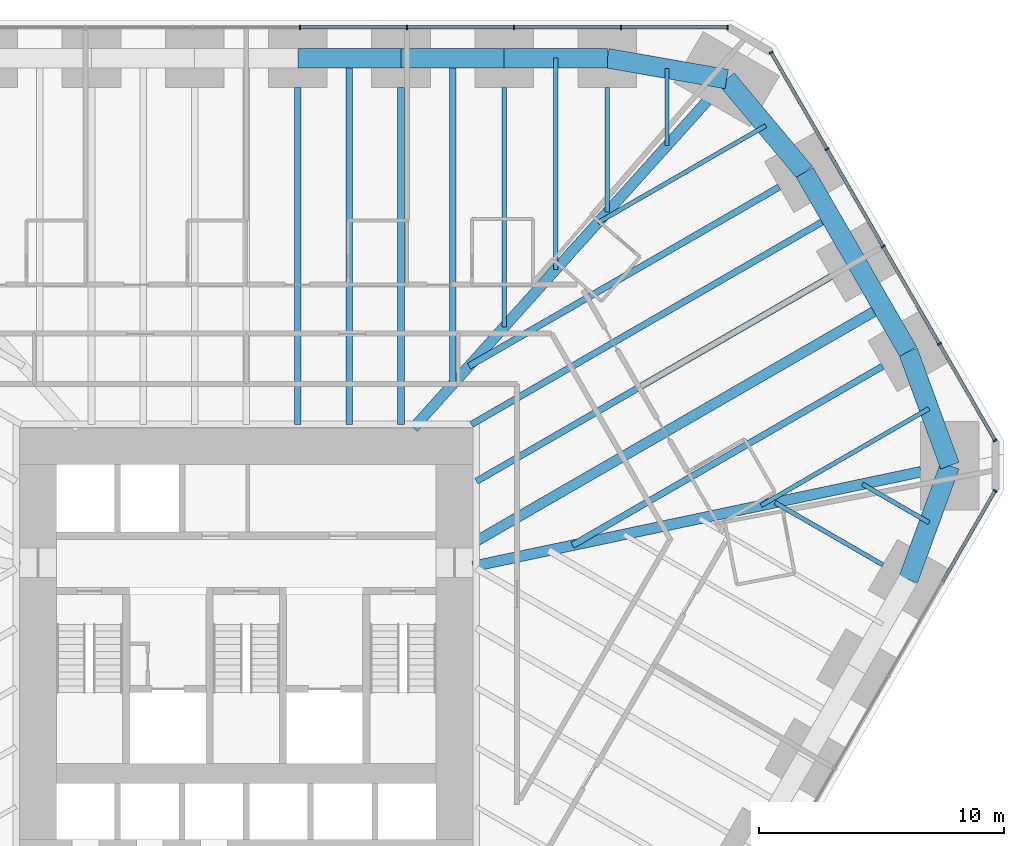
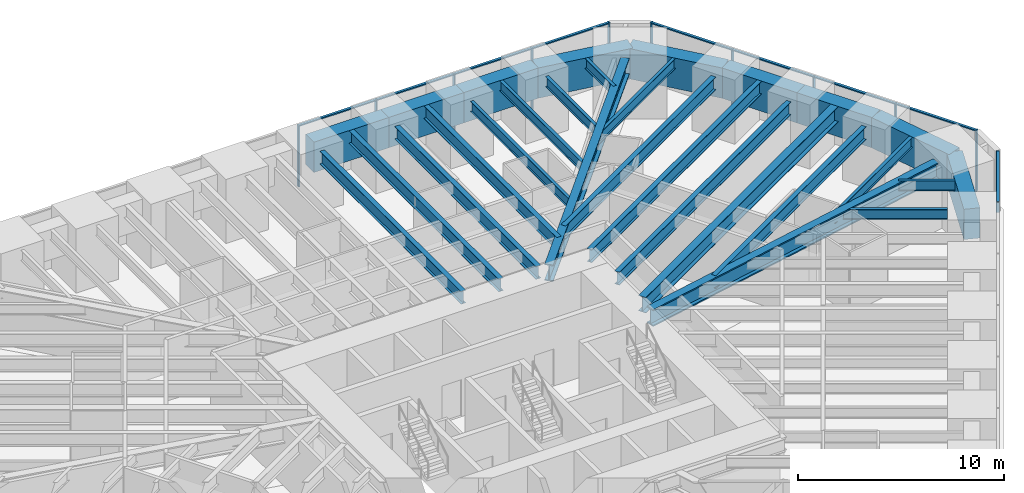
# One storey, part 9 of 17: 28 beams, 20 members, 3 elements without a shape of their own.
"""IFC4 building model written with IfcOpenShell, lengths in metres."""

from ifc_helpers import new_model, si_unit, direction, frame, origin, origin_2d, place, context, subcontext, project, spatial, rectangle, i_section, extrude, material, material_profile, profile_set, type_object, element, aggregate, save


model = new_model("IFC4")

# Units and contexts
model_context = context("Model", 3, precision=1e-05, world=origin(), true_north=direction((0.0, 1.0)))
body_context = subcontext(model_context, "Body", "Model", "MODEL_VIEW")
ifc_project = project(units=[si_unit("LENGTHUNIT", "METRE"), si_unit("AREAUNIT", "SQUARE_METRE"), si_unit("VOLUMEUNIT", "CUBIC_METRE"), si_unit("PLANEANGLEUNIT", "RADIAN"), si_unit("MASSUNIT", "GRAM", prefix="KILO")], contexts=[model_context])

# Site, building, storey
site_placement = place(None, origin())
site = spatial("IfcSite", under=ifc_project, at=site_placement, CompositionType="ELEMENT")
building_placement = place(site_placement, origin())
building = spatial("IfcBuilding", under=site, at=building_placement, Name="Sandreach Pilgrim Tower", CompositionType="ELEMENT")
storey_placement = place(building_placement, frame((0.0, 0.0, 45.800048828125)))
storey = spatial("IfcBuildingStorey", under=building, at=storey_placement, Name="L10", CompositionType="ELEMENT", Elevation=45.800048828125)

# Curtain wall, members
ifc_material_1 = material(Name="Aluminium framed curtain wall", Category="aluminium")
curtain_wall_type = type_object("IfcCurtainWallType", Name="Hostel tower curtain wall", PredefinedType="NOTDEFINED", material=ifc_material_1)
curtain_wall_1_placement = place(storey_placement, origin())
curtain_wall_1 = element("IfcCurtainWall", 1, at=curtain_wall_1_placement, inside=storey, type_object=curtain_wall_type, Name="CW-1 L10 N", PredefinedType="NOTDEFINED")
ifc_material_2 = material(Name="Aluminium extrusion", Category="aluminium")
ifc_material_profile_1 = material_profile(ifc_material_2, rectangle(XDim=0.06494140625, YDim=0.179931640625, at=origin_2d()), Name="CW-1M 65X180")
ifc_profile_set_1 = profile_set([ifc_material_profile_1], Name="Aluminium extrusion")
member_type_1 = type_object("IfcMemberType", Name="CW-1 mullion", PredefinedType="MULLION", material=ifc_profile_set_1)
member_1_placement = place(storey_placement, frame((2.185791015625, 23.94873046875, 0.0), z_axis=(0.0, 0.0, 1.0), x_axis=(1.0, 0.0, 0.0)))
member_1 = element("IfcMember", 2, at=member_1_placement, type_object=member_type_1, Name="CW-1 mullion 6", PredefinedType="MULLION", context=body_context, shape_type="SweptSolid", body=[
    extrude(rectangle(XDim=0.06494140625, YDim=0.179931640625, at=origin_2d()), origin(), (0.0, 0.0, 1.0), 3.639892578125),
])
member_2_placement = place(storey_placement, frame((6.557373046875, 23.94873046875, 0.0), z_axis=(0.0, 0.0, 1.0), x_axis=(1.0, 0.0, 0.0)))
member_2 = element("IfcMember", 3, at=member_2_placement, type_object=member_type_1, Name="CW-1 mullion 7", PredefinedType="MULLION", context=body_context, shape_type="SweptSolid", body=[
    extrude(rectangle(XDim=0.06494140625, YDim=0.179931640625, at=origin_2d()), origin(), (0.0, 0.0, 1.0), 3.639892578125),
])
member_3_placement = place(storey_placement, frame((10.928955078125, 23.94873046875, 0.0), z_axis=(0.0, 0.0, 1.0), x_axis=(1.0, 0.0, 0.0)))
member_3 = element("IfcMember", 4, at=member_3_placement, type_object=member_type_1, Name="CW-1 mullion 8", PredefinedType="MULLION", context=body_context, shape_type="SweptSolid", body=[
    extrude(rectangle(XDim=0.06494140625, YDim=0.179931640625, at=origin_2d()), origin(), (0.0, 0.0, 1.0), 3.639892578125),
])
member_4_placement = place(storey_placement, frame((15.300537109375, 23.94873046875, 0.0), z_axis=(0.0, 0.0, 1.0), x_axis=(1.0, 0.0, 0.0)))
member_4 = element("IfcMember", 5, at=member_4_placement, type_object=member_type_1, Name="CW-1 mullion 9", PredefinedType="MULLION", context=body_context, shape_type="SweptSolid", body=[
    extrude(rectangle(XDim=0.06494140625, YDim=0.179931640625, at=origin_2d()), origin(), (0.0, 0.0, 1.0), 3.639892578125),
])
member_5_placement = place(storey_placement, frame((19.6396484375, 23.94873046875, 0.0), z_axis=(0.0, 0.0, 1.0), x_axis=(1.0, 0.0, 0.0)))
member_5 = element("IfcMember", 6, at=member_5_placement, type_object=member_type_1, Name="CW-1 mullion 10", PredefinedType="MULLION", context=body_context, shape_type="SweptSolid", body=[
    extrude(rectangle(XDim=0.06494140625, YDim=0.179931640625, at=origin_2d()), origin(), (0.0, 0.0, 1.0), 3.639892578125),
])

curtain_wall_2_placement = place(storey_placement, origin())
curtain_wall_2 = element("IfcCurtainWall", 7, at=curtain_wall_2_placement, inside=storey, type_object=curtain_wall_type, Name="CW-1 L10 NE", PredefinedType="NOTDEFINED")
member_6_placement = place(storey_placement, frame((21.42041015625, 22.920654296875, 0.0), z_axis=(0.0, 0.0, 1.0), x_axis=(0.5, -0.866025403784, 0.0)))
member_6 = element("IfcMember", 8, at=member_6_placement, type_object=member_type_1, Name="CW-1 mullion 1", PredefinedType="MULLION", context=body_context, shape_type="SweptSolid", body=[
    extrude(rectangle(XDim=0.06494140625, YDim=0.179931640625, at=origin_2d()), origin(), (0.0, 0.0, 1.0), 3.639892578125),
])
member_7_placement = place(storey_placement, frame((23.697265625, 18.97705078125, 0.0), z_axis=(0.0, 0.0, 1.0), x_axis=(0.5, -0.866025403784, 0.0)))
member_7 = element("IfcMember", 9, at=member_7_placement, type_object=member_type_1, Name="CW-1 mullion 2", PredefinedType="MULLION", context=body_context, shape_type="SweptSolid", body=[
    extrude(rectangle(XDim=0.06494140625, YDim=0.179931640625, at=origin_2d()), origin(), (0.0, 0.0, 1.0), 3.639892578125),
])
member_8_placement = place(storey_placement, frame((25.990234375, 15.00537109375, 0.0), z_axis=(0.0, 0.0, 1.0), x_axis=(0.5, -0.866025403784, 0.0)))
member_8 = element("IfcMember", 10, at=member_8_placement, type_object=member_type_1, Name="CW-1 mullion 3", PredefinedType="MULLION", context=body_context, shape_type="SweptSolid", body=[
    extrude(rectangle(XDim=0.06494140625, YDim=0.179931640625, at=origin_2d()), origin(), (0.0, 0.0, 1.0), 3.639892578125),
])
member_9_placement = place(storey_placement, frame((28.283203125, 11.03369140625, 0.0), z_axis=(0.0, 0.0, 1.0), x_axis=(0.5, -0.866025403784, 0.0)))
member_9 = element("IfcMember", 11, at=member_9_placement, type_object=member_type_1, Name="CW-1 mullion 4", PredefinedType="MULLION", context=body_context, shape_type="SweptSolid", body=[
    extrude(rectangle(XDim=0.06494140625, YDim=0.179931640625, at=origin_2d()), origin(), (0.0, 0.0, 1.0), 3.639892578125),
])
member_10_placement = place(storey_placement, frame((30.56005859375, 7.09033203125, 0.0), z_axis=(0.0, 0.0, 1.0), x_axis=(0.5, -0.866025403784, 0.0)))
member_10 = element("IfcMember", 12, at=member_10_placement, type_object=member_type_1, Name="CW-1 mullion 5", PredefinedType="MULLION", context=body_context, shape_type="SweptSolid", body=[
    extrude(rectangle(XDim=0.06494140625, YDim=0.179931640625, at=origin_2d()), origin(), (0.0, 0.0, 1.0), 3.639892578125),
])

# Curtain wall, member
curtain_wall_3_placement = place(storey_placement, origin())
curtain_wall_3 = element("IfcCurtainWall", 13, at=curtain_wall_3_placement, inside=storey, type_object=curtain_wall_type, Name="CW-1 L10 SE", PredefinedType="NOTDEFINED")
member_11_placement = place(storey_placement, frame((30.56005859375, 5.033935546875, 0.0), z_axis=(0.0, 0.0, 1.0), x_axis=(-0.5, -0.866025403784, 0.0)))
member_11 = element("IfcMember", 14, at=member_11_placement, type_object=member_type_1, Name="CW-1 mullion 1", PredefinedType="MULLION", context=body_context, shape_type="SweptSolid", body=[
    extrude(rectangle(XDim=0.06494140625, YDim=0.179931640625, at=origin_2d()), origin(), (0.0, 0.0, 1.0), 3.639892578125),
])

# Member
ifc_material_3 = material(Name="Aluminium extrusion", Category="aluminium")
ifc_material_profile_2 = material_profile(ifc_material_3, rectangle(XDim=0.139892578125, YDim=0.070068359375, at=origin_2d()), Name="CW-1T 140X70")
ifc_profile_set_2 = profile_set([ifc_material_profile_2], Name="Aluminium extrusion")
member_type_2 = type_object("IfcMemberType", Name="CW-1 transom", PredefinedType="USERDEFINED", material=ifc_profile_set_2)
member_12_placement = place(storey_placement, frame((2.21826171875, 23.94873046875, 3.60498046875), z_axis=(1.0, 0.0, 0.0), x_axis=(0.0, 1.0, 0.0)))
member_12 = element("IfcMember", 15, at=member_12_placement, type_object=member_type_2, Name="CW-1 head transom 6", ObjectType="TRANSOM", PredefinedType="USERDEFINED", context=body_context, shape_type="SweptSolid", body=[
    extrude(rectangle(XDim=0.139892578125, YDim=0.070068359375, at=origin_2d()), origin(), (0.0, 0.0, 1.0), 4.306640625),
])

member_13_placement = place(storey_placement, frame((6.58984375, 23.94873046875, 3.60498046875), z_axis=(1.0, 0.0, 0.0), x_axis=(0.0, 1.0, 0.0)))
member_13 = element("IfcMember", 16, at=member_13_placement, type_object=member_type_2, Name="CW-1 head transom 7", ObjectType="TRANSOM", PredefinedType="USERDEFINED", context=body_context, shape_type="SweptSolid", body=[
    extrude(rectangle(XDim=0.139892578125, YDim=0.070068359375, at=origin_2d()), origin(), (0.0, 0.0, 1.0), 4.306640625),
])

member_14_placement = place(storey_placement, frame((10.96142578125, 23.94873046875, 3.60498046875), z_axis=(1.0, 0.0, 0.0), x_axis=(0.0, 1.0, 0.0)))
member_14 = element("IfcMember", 17, at=member_14_placement, type_object=member_type_2, Name="CW-1 head transom 8", ObjectType="TRANSOM", PredefinedType="USERDEFINED", context=body_context, shape_type="SweptSolid", body=[
    extrude(rectangle(XDim=0.139892578125, YDim=0.070068359375, at=origin_2d()), origin(), (0.0, 0.0, 1.0), 4.306640625),
])

member_15_placement = place(storey_placement, frame((15.3330078125, 23.94873046875, 3.60498046875), z_axis=(1.0, 0.0, 0.0), x_axis=(0.0, 1.0, 0.0)))
member_15 = element("IfcMember", 18, at=member_15_placement, type_object=member_type_2, Name="CW-1 head transom 9", ObjectType="TRANSOM", PredefinedType="USERDEFINED", context=body_context, shape_type="SweptSolid", body=[
    extrude(rectangle(XDim=0.139892578125, YDim=0.070068359375, at=origin_2d()), origin(), (0.0, 0.0, 1.0), 4.274169921875),
])

aggregate(curtain_wall_1, [member_1, member_2, member_3, member_4, member_5, member_12, member_13, member_14, member_15])

member_16_placement = place(storey_placement, frame((21.4365234375, 22.892333984375, 3.60498046875), z_axis=(0.500017500808, -0.866015299452, 0.0), x_axis=(0.866015299452, 0.500017500808, 0.0)))
member_16 = element("IfcMember", 19, at=member_16_placement, type_object=member_type_2, Name="CW-1 head transom 1", ObjectType="TRANSOM", PredefinedType="USERDEFINED", context=body_context, shape_type="SweptSolid", body=[
    extrude(rectangle(XDim=0.139892578125, YDim=0.070068359375, at=origin_2d()), origin(), (0.0, 0.0, 1.0), 4.488525390625),
])

member_17_placement = place(storey_placement, frame((23.71337890625, 18.948974609375, 3.60498046875), z_axis=(0.500001366228, -0.866024614991, 0.0), x_axis=(0.866024614991, 0.500001366228, 0.0)))
member_17 = element("IfcMember", 20, at=member_17_placement, type_object=member_type_2, Name="CW-1 head transom 2", ObjectType="TRANSOM", PredefinedType="USERDEFINED", context=body_context, shape_type="SweptSolid", body=[
    extrude(rectangle(XDim=0.139892578125, YDim=0.070068359375, at=origin_2d()), origin(), (0.0, 0.0, 1.0), 4.52099609375),
])

member_18_placement = place(storey_placement, frame((26.00634765625, 14.977294921875, 3.60498046875), z_axis=(0.500001366228, -0.866024614991, 0.0), x_axis=(0.866024614991, 0.500001366228, 0.0)))
member_18 = element("IfcMember", 21, at=member_18_placement, type_object=member_type_2, Name="CW-1 head transom 3", ObjectType="TRANSOM", PredefinedType="USERDEFINED", context=body_context, shape_type="SweptSolid", body=[
    extrude(rectangle(XDim=0.139892578125, YDim=0.070068359375, at=origin_2d()), origin(), (0.0, 0.0, 1.0), 4.52099609375),
])

member_19_placement = place(storey_placement, frame((28.299560546875, 11.005615234375, 3.60498046875), z_axis=(0.499976706761, -0.866038851724, 0.0), x_axis=(0.866038851724, 0.499976706761, 0.0)))
member_19 = element("IfcMember", 22, at=member_19_placement, type_object=member_type_2, Name="CW-1 head transom 4", ObjectType="TRANSOM", PredefinedType="USERDEFINED", context=body_context, shape_type="SweptSolid", body=[
    extrude(rectangle(XDim=0.139892578125, YDim=0.070068359375, at=origin_2d()), origin(), (0.0, 0.0, 1.0), 4.488525390625),
])

aggregate(curtain_wall_2, [member_6, member_7, member_8, member_9, member_10, member_16, member_17, member_18, member_19])

member_20_placement = place(storey_placement, frame((30.543701171875, 5.005859375, 3.60498046875), z_axis=(-0.499991113271, -0.866030534479, 0.0), x_axis=(0.866030534479, -0.499991113271, 0.0)))
member_20 = element("IfcMember", 23, at=member_20_placement, type_object=member_type_2, Name="CW-1 head transom 1", ObjectType="TRANSOM", PredefinedType="USERDEFINED", context=body_context, shape_type="SweptSolid", body=[
    extrude(rectangle(XDim=0.139892578125, YDim=0.070068359375, at=origin_2d()), origin(), (0.0, 0.0, 1.0), 4.27392578125),
])

aggregate(curtain_wall_3, [member_11, member_20])

# Beams
ifc_material_4 = material(Name="Steel ASTM A992 Grade 50", Category="steel")
ifc_material_profile_3 = material_profile(ifc_material_4, i_section(OverallWidth=0.431884765625, OverallDepth=0.988037109375, WebThickness=0.034423828125, FlangeThickness=0.06201171875, at=origin_2d()), Name="W36X441")
ifc_profile_set_3 = profile_set([ifc_material_profile_3], Name="Steel ASTM A992 Grade 50")
beam_type_1 = type_object("IfcBeamType", Name="Corner girder W36X441", PredefinedType="BEAM", material=ifc_profile_set_3)
beam_1_placement = place(storey_placement, frame((18.8046875, 20.94189453125, 3.14599609375), z_axis=(-0.668127834846, -0.74404650144, 0.0), x_axis=(0.74404650144, -0.668127834846, 0.0)))
element("IfcBeam", 24, at=beam_1_placement, inside=storey, type_object=beam_type_1, Name="BM L10 CG09", PredefinedType="BEAM", context=body_context, shape_type="SweptSolid", body=[
    extrude(i_section(OverallWidth=0.431884765625, OverallDepth=0.988037109375, WebThickness=0.034423828125, FlangeThickness=0.06201171875, at=origin_2d()), origin(), (0.0, 0.0, 1.0), 17.931396484375),
])
ifc_material_5 = material(Name="Steel ASTM A992 Grade 50", Category="steel")
ifc_material_profile_4 = material_profile(ifc_material_5, i_section(OverallWidth=0.436767578125, OverallDepth=1.010986328125, WebThickness=0.040771484375, FlangeThickness=0.073974609375, at=origin_2d()), Name="W36X529")
ifc_profile_set_4 = profile_set([ifc_material_profile_4], Name="Steel ASTM A992 Grade 50")
beam_type_2 = type_object("IfcBeamType", Name="Corner girder W36X529", PredefinedType="BEAM", material=ifc_profile_set_4)
beam_2_placement = place(storey_placement, frame((27.53857421875, 5.814208984375, 3.134521484375), z_axis=(-0.978429884383, -0.206579189045, 0.0), x_axis=(0.206579189045, -0.978429884383, 0.0)))
element("IfcBeam", 25, at=beam_2_placement, inside=storey, type_object=beam_type_2, Name="BM L10 CG13", PredefinedType="BEAM", context=body_context, shape_type="SweptSolid", body=[
    extrude(i_section(OverallWidth=0.436767578125, OverallDepth=1.010986328125, WebThickness=0.040771484375, FlangeThickness=0.073974609375, at=origin_2d()), origin(), (0.0, 0.0, 1.0), 18.691650390625),
])
ifc_material_6 = material(Name="Steel ASTM A992 Grade 50", Category="steel")
ifc_material_profile_5 = material_profile(ifc_material_6, i_section(OverallWidth=0.1787109375, OverallDepth=0.60205078125, WebThickness=0.010986328125, FlangeThickness=0.014892578125, at=origin_2d()), Name="W24X62")
ifc_profile_set_5 = profile_set([ifc_material_profile_5], Name="Steel ASTM A992 Grade 50")
beam_type_3 = type_object("IfcBeamType", Name="Floor beam W24X62", PredefinedType="BEAM", material=ifc_profile_set_5)
beam_3_placement = place(storey_placement, frame((10.52490234375, 21.48876953125, 3.3388671875), z_axis=(0.0, -1.0, 0.0), x_axis=(1.0, 0.0, 0.0)))
element("IfcBeam", 26, at=beam_3_placement, inside=storey, type_object=beam_type_3, Name="BM L10 F07", PredefinedType="BEAM", context=body_context, shape_type="SweptSolid", body=[
    extrude(i_section(OverallWidth=0.1787109375, OverallDepth=0.60205078125, WebThickness=0.010986328125, FlangeThickness=0.014892578125, at=origin_2d()), origin(), (0.0, 0.0, 1.0), 9.767822265625),
])
beam_4_placement = place(storey_placement, frame((14.734619140625, 21.48876953125, 3.3388671875), z_axis=(0.0, -1.0, 0.0), x_axis=(1.0, 0.0, 0.0)))
element("IfcBeam", 27, at=beam_4_placement, inside=storey, type_object=beam_type_3, Name="BM L10 F08", PredefinedType="BEAM", context=body_context, shape_type="SweptSolid", body=[
    extrude(i_section(OverallWidth=0.1787109375, OverallDepth=0.60205078125, WebThickness=0.010986328125, FlangeThickness=0.014892578125, at=origin_2d()), origin(), (0.0, 0.0, 1.0), 5.079345703125),
])
beam_5_placement = place(storey_placement, frame((25.97705078125, 2.016357421875, 3.3388671875), z_axis=(-0.866027897259, 0.49999568115, 0.0), x_axis=(-0.49999568115, -0.866027897259, 0.0)))
element("IfcBeam", 28, at=beam_5_placement, inside=storey, type_object=beam_type_3, Name="BM L10 F14", PredefinedType="BEAM", context=body_context, shape_type="SweptSolid", body=[
    extrude(i_section(OverallWidth=0.1787109375, OverallDepth=0.60205078125, WebThickness=0.010986328125, FlangeThickness=0.014892578125, at=origin_2d()), origin(), (0.0, 0.0, 1.0), 5.0791015625),
])
beam_6_placement = place(storey_placement, frame((12.629638671875, 22.688720703125, 3.3388671875), z_axis=(0.0, -1.0, 0.0), x_axis=(1.0, 0.0, 0.0)))
element("IfcBeam", 29, at=beam_6_placement, inside=storey, type_object=beam_type_3, Name="BM L10 FM07", PredefinedType="BEAM", context=body_context, shape_type="SweptSolid", body=[
    extrude(i_section(OverallWidth=0.1787109375, OverallDepth=0.60205078125, WebThickness=0.010986328125, FlangeThickness=0.014892578125, at=origin_2d()), origin(), (0.0, 0.0, 1.0), 8.62353515625),
])
beam_7_placement = place(storey_placement, frame((17.17041015625, 22.26171875, 3.3388671875), z_axis=(0.0, -1.0, 0.0), x_axis=(1.0, 0.0, 0.0)))
element("IfcBeam", 30, at=beam_7_placement, inside=storey, type_object=beam_type_3, Name="BM L10 FM08", PredefinedType="BEAM", context=body_context, shape_type="SweptSolid", body=[
    extrude(i_section(OverallWidth=0.1787109375, OverallDepth=0.60205078125, WebThickness=0.010986328125, FlangeThickness=0.014892578125, at=origin_2d()), origin(), (0.0, 0.0, 1.0), 3.1396484375),
])
for number, where, z_axis, x_axis, name in (
    (31, (21.197021484375, 19.933349609375, 3.3388671875), (-0.866028778003, -0.499994155636, 0.0), (0.499994155636, -0.866028778003, 0.0), "BM L10 FM09"),
    (32, (27.861328125, 8.390380859375, 3.3388671875), (-0.866028778003, -0.499994155636, 0.0), (0.499994155636, -0.866028778003, 0.0), "BM L10 FM12"),
):
    element("IfcBeam", number, at=place(storey_placement, frame(where, z_axis=z_axis, x_axis=x_axis)), inside=storey, type_object=beam_type_3, Name=name, PredefinedType="BEAM", context=body_context, shape_type="SweptSolid", body=[
        extrude(i_section(OverallWidth=0.1787109375, OverallDepth=0.60205078125, WebThickness=0.010986328125, FlangeThickness=0.014892578125, at=origin_2d()), origin(), (0.0, 0.0, 1.0), 7.90771484375),
    ])
beam_8_placement = place(storey_placement, frame((27.864501953125, 3.7392578125, 3.3388671875), z_axis=(-0.866023718453, 0.500002919068, 0.0), x_axis=(-0.500002919068, -0.866023718453, 0.0)))
element("IfcBeam", 33, at=beam_8_placement, inside=storey, type_object=beam_type_3, Name="BM L10 FM13", PredefinedType="BEAM", context=body_context, shape_type="SweptSolid", body=[
    extrude(i_section(OverallWidth=0.1787109375, OverallDepth=0.60205078125, WebThickness=0.010986328125, FlangeThickness=0.014892578125, at=origin_2d()), origin(), (0.0, 0.0, 1.0), 3.1396484375),
])
ifc_material_7 = material(Name="Steel ASTM A992 Grade 50", Category="steel")
ifc_material_profile_6 = material_profile(ifc_material_7, i_section(OverallWidth=0.2666015625, OverallDepth=0.761962890625, WebThickness=0.014404296875, FlangeThickness=0.021484375, at=origin_2d()), Name="W30X116")
ifc_profile_set_6 = profile_set([ifc_material_profile_6], Name="Steel ASTM A992 Grade 50")
beam_type_4 = type_object("IfcBeamType", Name="Floor beam W30X116", PredefinedType="BEAM", material=ifc_profile_set_6)
for number, where, z_axis, x_axis, name in (
    (34, (2.10498046875, 21.48876953125, 3.259033203125), (0.0, -1.0, 0.0), (1.0, 0.0, 0.0), "BM L10 F05"),
    (35, (6.31494140625, 21.48876953125, 3.259033203125), (0.0, -1.0, 0.0), (1.0, 0.0, 0.0), "BM L10 F06"),
):
    element("IfcBeam", number, at=place(storey_placement, frame(where, z_axis=z_axis, x_axis=x_axis)), inside=storey, type_object=beam_type_4, Name=name, PredefinedType="BEAM", context=body_context, shape_type="SweptSolid", body=[
        extrude(i_section(OverallWidth=0.2666015625, OverallDepth=0.761962890625, WebThickness=0.014404296875, FlangeThickness=0.021484375, at=origin_2d()), origin(), (0.0, 0.0, 1.0), 13.745361328125),
    ])
for number, where, z_axis, x_axis, name in (
    (36, (21.74853515625, 17.43212890625, 3.259033203125), (-0.866020355572, -0.500008743658, 0.0), (0.500008743658, -0.866020355572, 0.0), "BM L10 F10"),
    (37, (25.970947265625, 10.118896484375, 3.259033203125), (-0.866020355572, -0.500008743658, 0.0), (0.500008743658, -0.866020355572, 0.0), "BM L10 F12"),
):
    element("IfcBeam", number, at=place(storey_placement, frame(where, z_axis=z_axis, x_axis=x_axis)), inside=storey, type_object=beam_type_4, Name=name, PredefinedType="BEAM", context=body_context, shape_type="SweptSolid", body=[
        extrude(i_section(OverallWidth=0.2666015625, OverallDepth=0.761962890625, WebThickness=0.014404296875, FlangeThickness=0.021484375, at=origin_2d()), origin(), (0.0, 0.0, 1.0), 14.615966796875),
    ])
beam_9_placement = place(storey_placement, frame((4.2099609375, 22.688720703125, 3.259033203125), z_axis=(0.0, -1.0, 0.0), x_axis=(1.0, 0.0, 0.0)))
element("IfcBeam", 38, at=beam_9_placement, inside=storey, type_object=beam_type_4, Name="BM L10 FM05", PredefinedType="BEAM", context=body_context, shape_type="SweptSolid", body=[
    extrude(i_section(OverallWidth=0.2666015625, OverallDepth=0.761962890625, WebThickness=0.014404296875, FlangeThickness=0.021484375, at=origin_2d()), origin(), (0.0, 0.0, 1.0), 14.9453125),
])
beam_10_placement = place(storey_placement, frame((8.419921875, 22.688720703125, 3.259033203125), z_axis=(0.0, -1.0, 0.0), x_axis=(1.0, 0.0, 0.0)))
element("IfcBeam", 39, at=beam_10_placement, inside=storey, type_object=beam_type_4, Name="BM L10 FM06", PredefinedType="BEAM", context=body_context, shape_type="SweptSolid", body=[
    extrude(i_section(OverallWidth=0.2666015625, OverallDepth=0.761962890625, WebThickness=0.014404296875, FlangeThickness=0.021484375, at=origin_2d()), origin(), (0.0, 0.0, 1.0), 13.311767578125),
])
ifc_material_8 = material(Name="Steel ASTM A992 Grade 50", Category="steel")
ifc_material_profile_7 = material_profile(ifc_material_8, i_section(OverallWidth=0.2666015625, OverallDepth=0.77978515625, WebThickness=0.0166015625, FlangeThickness=0.030029296875, at=origin_2d()), Name="W30X148")
ifc_profile_set_7 = profile_set([ifc_material_profile_7], Name="Steel ASTM A992 Grade 50")
beam_type_5 = type_object("IfcBeamType", Name="Floor beam W30X148", PredefinedType="BEAM", material=ifc_profile_set_7)
beam_11_placement = place(storey_placement, frame((23.85986328125, 13.775390625, 3.25), z_axis=(-0.866031037473, -0.499990242038, 0.0), x_axis=(0.499990242038, -0.866031037473, 0.0)))
element("IfcBeam", 40, at=beam_11_placement, inside=storey, type_object=beam_type_5, Name="BM L10 F11", PredefinedType="BEAM", context=body_context, shape_type="SweptSolid", body=[
    extrude(i_section(OverallWidth=0.2666015625, OverallDepth=0.77978515625, WebThickness=0.0166015625, FlangeThickness=0.030029296875, at=origin_2d()), origin(), (0.0, 0.0, 1.0), 16.704345703125),
])
beam_12_placement = place(storey_placement, frame((23.843505859375, 16.203857421875, 3.25), z_axis=(-0.866027248123, -0.499996805499, 0.0), x_axis=(0.499996805499, -0.866027248123, 0.0)))
element("IfcBeam", 41, at=beam_12_placement, inside=storey, type_object=beam_type_5, Name="BM L10 FM10", PredefinedType="BEAM", context=body_context, shape_type="SweptSolid", body=[
    extrude(i_section(OverallWidth=0.2666015625, OverallDepth=0.77978515625, WebThickness=0.0166015625, FlangeThickness=0.030029296875, at=origin_2d()), origin(), (0.0, 0.0, 1.0), 16.9208984375),
])
ifc_material_9 = material(Name="Steel ASTM A992 Grade 50", Category="steel")
ifc_material_profile_8 = material_profile(ifc_material_9, i_section(OverallWidth=0.419189453125, OverallDepth=0.927001953125, WebThickness=0.019287109375, FlangeThickness=0.031982421875, at=origin_2d()), Name="W36X231")
ifc_profile_set_8 = profile_set([ifc_material_profile_8], Name="Steel ASTM A992 Grade 50")
beam_type_6 = type_object("IfcBeamType", Name="Floor beam W36X231", PredefinedType="BEAM", material=ifc_profile_set_8)
beam_13_placement = place(storey_placement, frame((25.95458984375, 12.547119140625, 3.176513671875), z_axis=(-0.866028474707, -0.499994680968, 0.0), x_axis=(0.499994680968, -0.866028474707, 0.0)))
element("IfcBeam", 42, at=beam_13_placement, inside=storey, type_object=beam_type_6, Name="BM L10 FM11", PredefinedType="BEAM", context=body_context, shape_type="SweptSolid", body=[
    extrude(i_section(OverallWidth=0.419189453125, OverallDepth=0.927001953125, WebThickness=0.019287109375, FlangeThickness=0.031982421875, at=origin_2d()), origin(), (0.0, 0.0, 1.0), 19.123291015625),
])
ifc_material_10 = material(Name="Concrete 10000 psi", Category="concrete")
ifc_material_profile_9 = material_profile(ifc_material_10, rectangle(XDim=0.800048828125, YDim=1.800048828125, at=origin_2d()), Name="RC800X1800")
ifc_profile_set_9 = profile_set([ifc_material_profile_9], Name="Concrete 10000 psi")
beam_type_7 = type_object("IfcBeamType", Name="Spandrel beam RC800X1800", PredefinedType="SPANDREL", material=ifc_profile_set_9)
for number, where, z_axis, x_axis, name in (
    (43, (2.10498046875, 22.688720703125, 2.739990234375), (1.0, 0.0, 0.0), (0.0, 1.0, 0.0), "BM L10 SP05"),
    (44, (6.31494140625, 22.688720703125, 2.739990234375), (1.0, 0.0, 0.0), (0.0, 1.0, 0.0), "BM L10 SP06"),
):
    element("IfcBeam", number, at=place(storey_placement, frame(where, z_axis=z_axis, x_axis=x_axis)), inside=storey, type_object=beam_type_7, Name=name, PredefinedType="SPANDREL", context=body_context, shape_type="SweptSolid", body=[
        extrude(rectangle(XDim=0.800048828125, YDim=1.800048828125, at=origin_2d()), origin(), (0.0, 0.0, 1.0), 4.2099609375),
    ])
beam_14_placement = place(storey_placement, frame((10.52490234375, 22.688720703125, 2.739990234375), z_axis=(1.0, 0.0, 0.0), x_axis=(0.0, 1.0, 0.0)))
element("IfcBeam", 45, at=beam_14_placement, inside=storey, type_object=beam_type_7, Name="BM L10 SP07", PredefinedType="SPANDREL", context=body_context, shape_type="SweptSolid", body=[
    extrude(rectangle(XDim=0.800048828125, YDim=1.800048828125, at=origin_2d()), origin(), (0.0, 0.0, 1.0), 4.209716796875),
])
beam_15_placement = place(storey_placement, frame((14.734619140625, 22.688720703125, 2.739990234375), z_axis=(0.984981186582, -0.172661698355, 0.0), x_axis=(0.172661698355, 0.984981186582, 0.0)))
element("IfcBeam", 46, at=beam_15_placement, inside=storey, type_object=beam_type_7, Name="BM L10 SP08", PredefinedType="SPANDREL", context=body_context, shape_type="SweptSolid", body=[
    extrude(rectangle(XDim=0.800048828125, YDim=1.800048828125, at=origin_2d()), origin(), (0.0, 0.0, 1.0), 4.946044921875),
])
beam_16_placement = place(storey_placement, frame((19.6064453125, 21.834716796875, 2.739990234375), z_axis=(0.641665295114, -0.766984777584, 0.0), x_axis=(0.766984777584, 0.641665295114, 0.0)))
element("IfcBeam", 47, at=beam_16_placement, inside=storey, type_object=beam_type_7, Name="BM L10 SP09", PredefinedType="SPANDREL", context=body_context, shape_type="SweptSolid", body=[
    extrude(rectangle(XDim=0.800048828125, YDim=1.800048828125, at=origin_2d()), origin(), (0.0, 0.0, 1.0), 4.9580078125),
])
beam_17_placement = place(storey_placement, frame((22.787841796875, 18.031982421875, 2.739990234375), z_axis=(0.500001084989, -0.866024777365, 0.0), x_axis=(0.866024777365, 0.500001084989, 0.0)))
element("IfcBeam", 48, at=beam_17_placement, inside=storey, type_object=beam_type_7, Name="BM L10 SP10", PredefinedType="SPANDREL", context=body_context, shape_type="SweptSolid", body=[
    extrude(rectangle(XDim=0.800048828125, YDim=1.800048828125, at=origin_2d()), origin(), (0.0, 0.0, 1.0), 4.22216796875),
])
beam_18_placement = place(storey_placement, frame((24.89892578125, 14.37548828125, 2.739990234375), z_axis=(0.500019412692, -0.866014195571, 0.0), x_axis=(0.866014195571, 0.500019412692, 0.0)))
element("IfcBeam", 49, at=beam_18_placement, inside=storey, type_object=beam_type_7, Name="BM L10 SP11", PredefinedType="SPANDREL", context=body_context, shape_type="SweptSolid", body=[
    extrude(rectangle(XDim=0.800048828125, YDim=1.800048828125, at=origin_2d()), origin(), (0.0, 0.0, 1.0), 4.222412109375),
])
beam_19_placement = place(storey_placement, frame((27.01025390625, 10.71875, 2.739990234375), z_axis=(0.343367552823, -0.939201109278, 0.0), x_axis=(0.939201109278, 0.343367552823, 0.0)))
element("IfcBeam", 50, at=beam_19_placement, inside=storey, type_object=beam_type_7, Name="BM L10 SP12", PredefinedType="SPANDREL", context=body_context, shape_type="SweptSolid", body=[
    extrude(rectangle(XDim=0.800048828125, YDim=1.800048828125, at=origin_2d()), origin(), (0.0, 0.0, 1.0), 4.9580078125),
])
beam_20_placement = place(storey_placement, frame((28.712646484375, 6.062255859375, 2.739990234375), z_axis=(-0.342963480301, -0.939348737786, 0.0), x_axis=(0.939348737786, -0.342963480301, 0.0)))
element("IfcBeam", 51, at=beam_20_placement, inside=storey, type_object=beam_type_7, Name="BM L10 SP13", PredefinedType="SPANDREL", context=body_context, shape_type="SweptSolid", body=[
    extrude(rectangle(XDim=0.800048828125, YDim=1.800048828125, at=origin_2d()), origin(), (0.0, 0.0, 1.0), 4.946044921875),
])

save(model, "model.ifc")
